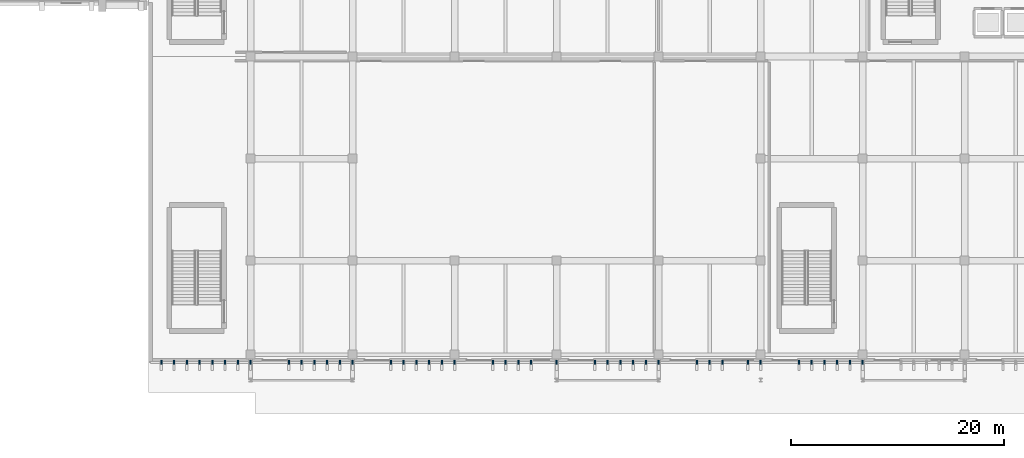
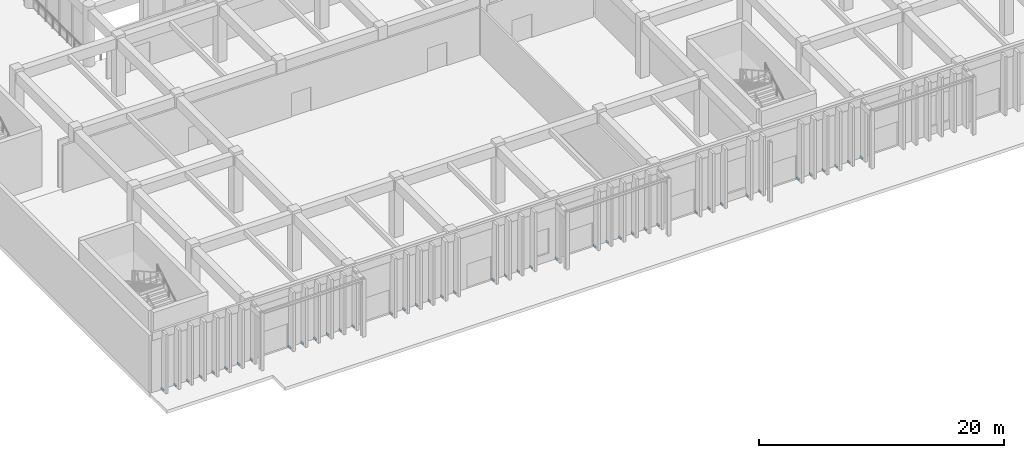
# One storey, part 55 of 87: 42 discrete accessories.
"""IFC4 building model written with IfcOpenShell, lengths in metres."""

from ifc_helpers import new_model, si_unit, direction, frame, origin, origin_2d, place, context, subcontext, project, spatial, rectangle, extrude, material, type_object, element, save


model = new_model("IFC4")

# Units and contexts
model_context = context("Model", 3, precision=1e-05, world=origin(), true_north=direction((0.0, 1.0)))
body_context = subcontext(model_context, "Body", "Model", "MODEL_VIEW")
ifc_project = project(units=[si_unit("LENGTHUNIT", "METRE"), si_unit("AREAUNIT", "SQUARE_METRE"), si_unit("VOLUMEUNIT", "CUBIC_METRE"), si_unit("PLANEANGLEUNIT", "RADIAN"), si_unit("MASSUNIT", "GRAM", prefix="KILO")], contexts=[model_context])

# Site, building, storey
site_placement = place(None, origin())
site = spatial("IfcSite", under=ifc_project, at=site_placement, CompositionType="ELEMENT")
building_placement = place(site_placement, origin())
building = spatial("IfcBuilding", under=site, at=building_placement, Name="Nakhvara Creek Congress Hotel", CompositionType="ELEMENT")
storey_placement = place(building_placement, origin())
storey = spatial("IfcBuildingStorey", under=building, at=storey_placement, Name="L00", CompositionType="ELEMENT", Elevation=0.0)

# Discrete accessories
ifc_material = material(Name="Brushed stainless steel 316L", Category="steel")
discrete_accessory_type = type_object("IfcDiscreteAccessoryType", Name="ACC-BRK-SS316", PredefinedType="BRACKET", material=ifc_material)
for number, where, z_axis, x_axis, name in (
    (1, (58.800048828125, 0.02001953125, -0.10986328125), (0.0, 0.0, 1.0), (1.0, 0.0, 0.0), "Stainless Fin Bracket BK01-0042"),
    (2, (60.0, 0.02001953125, -0.10986328125), (0.0, 0.0, 1.0), (1.0, 0.0, 0.0), "Stainless Fin Bracket BK01-0043"),
    (3, (61.199951171875, 0.02001953125, -0.10986328125), (0.0, 0.0, 1.0), (1.0, 0.0, 0.0), "Stainless Fin Bracket BK01-0044"),
    (4, (62.39990234375, 0.02001953125, -0.10986328125), (0.0, 0.0, 1.0), (1.0, 0.0, 0.0), "Stainless Fin Bracket BK01-0045"),
    (5, (63.60009765625, 0.02001953125, -0.10986328125), (0.0, 0.0, 1.0), (1.0, 0.0, 0.0), "Stainless Fin Bracket BK01-0046"),
    (6, (64.800048828125, 0.02001953125, -0.10986328125), (0.0, 0.0, 1.0), (1.0, 0.0, 0.0), "Stainless Fin Bracket BK01-0047"),
    (7, (66.0, 0.02001953125, -0.10986328125), (0.0, 0.0, 1.0), (1.0, 0.0, 0.0), "Stainless Fin Bracket BK01-0048"),
    (8, (67.199951171875, 0.02001953125, -0.10986328125), (0.0, 0.0, 1.0), (1.0, 0.0, 0.0), "Stainless Fin Bracket BK01-0049"),
    (9, (70.800048828125, 0.02001953125, -0.10986328125), (0.0, 0.0, 1.0), (1.0, 0.0, 0.0), "Stainless Fin Bracket BK01-0050"),
    (10, (72.0, 0.02001953125, -0.10986328125), (0.0, 0.0, 1.0), (1.0, 0.0, 0.0), "Stainless Fin Bracket BK01-0051"),
    (11, (73.199951171875, 0.02001953125, -0.10986328125), (0.0, 0.0, 1.0), (1.0, 0.0, 0.0), "Stainless Fin Bracket BK01-0052"),
    (12, (74.39990234375, 0.02001953125, -0.10986328125), (0.0, 0.0, 1.0), (1.0, 0.0, 0.0), "Stainless Fin Bracket BK01-0053"),
    (13, (75.60009765625, 0.02001953125, -0.10986328125), (0.0, 0.0, 1.0), (1.0, 0.0, 0.0), "Stainless Fin Bracket BK01-0054"),
    (14, (76.800048828125, 0.02001953125, -0.10986328125), (0.0, 0.0, 1.0), (1.0, 0.0, 0.0), "Stainless Fin Bracket BK01-0055"),
    (15, (80.39990234375, 0.02001953125, -0.10986328125), (0.0, 0.0, 1.0), (1.0, 0.0, 0.0), "Stainless Fin Bracket BK01-0056"),
    (16, (81.60009765625, 0.02001953125, -0.10986328125), (0.0, 0.0, 1.0), (1.0, 0.0, 0.0), "Stainless Fin Bracket BK01-0057"),
    (17, (82.800048828125, 0.02001953125, -0.10986328125), (0.0, 0.0, 1.0), (1.0, 0.0, 0.0), "Stainless Fin Bracket BK01-0058"),
    (18, (84.0, 0.02001953125, -0.10986328125), (0.0, 0.0, 1.0), (1.0, 0.0, 0.0), "Stainless Fin Bracket BK01-0059"),
    (19, (85.199951171875, 0.02001953125, -0.10986328125), (0.0, 0.0, 1.0), (1.0, 0.0, 0.0), "Stainless Fin Bracket BK01-0060"),
    (20, (86.39990234375, 0.02001953125, -0.10986328125), (0.0, 0.0, 1.0), (1.0, 0.0, 0.0), "Stainless Fin Bracket BK01-0061"),
    (21, (90.0, 0.02001953125, -0.10986328125), (0.0, 0.0, 1.0), (1.0, 0.0, 0.0), "Stainless Fin Bracket BK01-0062"),
    (22, (91.199951171875, 0.02001953125, -0.10986328125), (0.0, 0.0, 1.0), (1.0, 0.0, 0.0), "Stainless Fin Bracket BK01-0063"),
    (23, (92.39990234375, 0.02001953125, -0.10986328125), (0.0, 0.0, 1.0), (1.0, 0.0, 0.0), "Stainless Fin Bracket BK01-0064"),
    (24, (93.60009765625, 0.02001953125, -0.10986328125), (0.0, 0.0, 1.0), (1.0, 0.0, 0.0), "Stainless Fin Bracket BK01-0065"),
    (25, (96.0, 0.02001953125, -0.10986328125), (0.0, 0.0, 1.0), (1.0, 0.0, 0.0), "Stainless Fin Bracket BK01-0066"),
    (26, (99.60009765625, 0.02001953125, -0.10986328125), (0.0, 0.0, 1.0), (1.0, 0.0, 0.0), "Stainless Fin Bracket BK01-0067"),
    (27, (100.800048828125, 0.02001953125, -0.10986328125), (0.0, 0.0, 1.0), (1.0, 0.0, 0.0), "Stainless Fin Bracket BK01-0068"),
    (28, (102.0, 0.02001953125, -0.10986328125), (0.0, 0.0, 1.0), (1.0, 0.0, 0.0), "Stainless Fin Bracket BK01-0069"),
    (29, (103.199951171875, 0.02001953125, -0.10986328125), (0.0, 0.0, 1.0), (1.0, 0.0, 0.0), "Stainless Fin Bracket BK01-0070"),
    (30, (104.39990234375, 0.02001953125, -0.10986328125), (0.0, 0.0, 1.0), (1.0, 0.0, 0.0), "Stainless Fin Bracket BK01-0071"),
    (31, (105.60009765625, 0.02001953125, -0.10986328125), (0.0, 0.0, 1.0), (1.0, 0.0, 0.0), "Stainless Fin Bracket BK01-0072"),
    (32, (109.199951171875, 0.02001953125, -0.10986328125), (0.0, 0.0, 1.0), (1.0, 0.0, 0.0), "Stainless Fin Bracket BK01-0073"),
    (33, (110.39990234375, 0.02001953125, -0.10986328125), (0.0, 0.0, 1.0), (1.0, 0.0, 0.0), "Stainless Fin Bracket BK01-0074"),
    (34, (111.60009765625, 0.02001953125, -0.10986328125), (0.0, 0.0, 1.0), (1.0, 0.0, 0.0), "Stainless Fin Bracket BK01-0075"),
    (35, (114.0, 0.02001953125, -0.10986328125), (0.0, 0.0, 1.0), (1.0, 0.0, 0.0), "Stainless Fin Bracket BK01-0076"),
    (36, (115.199951171875, 0.02001953125, -0.10986328125), (0.0, 0.0, 1.0), (1.0, 0.0, 0.0), "Stainless Fin Bracket BK01-0077"),
    (37, (118.800048828125, 0.02001953125, -0.10986328125), (0.0, 0.0, 1.0), (1.0, 0.0, 0.0), "Stainless Fin Bracket BK01-0078"),
    (38, (120.0, 0.02001953125, -0.10986328125), (0.0, 0.0, 1.0), (1.0, 0.0, 0.0), "Stainless Fin Bracket BK01-0079"),
    (39, (121.199951171875, 0.02001953125, -0.10986328125), (0.0, 0.0, 1.0), (1.0, 0.0, 0.0), "Stainless Fin Bracket BK01-0080"),
    (40, (122.39990234375, 0.02001953125, -0.10986328125), (0.0, 0.0, 1.0), (1.0, 0.0, 0.0), "Stainless Fin Bracket BK01-0081"),
    (41, (123.60009765625, 0.02001953125, -0.10986328125), (0.0, 0.0, 1.0), (1.0, 0.0, 0.0), "Stainless Fin Bracket BK01-0082"),
    (42, (124.800048828125, 0.02001953125, -0.10986328125), (0.0, 0.0, 1.0), (1.0, 0.0, 0.0), "Stainless Fin Bracket BK01-0083"),
):
    element("IfcDiscreteAccessory", number, at=place(storey_placement, frame(where, z_axis=z_axis, x_axis=x_axis)), inside=storey, type_object=discrete_accessory_type, Name=name, PredefinedType="BRACKET", context=body_context, shape_type="SweptSolid", body=[
        extrude(rectangle(XDim=0.139892578125, YDim=0.360107421875, at=origin_2d()), origin(), (0.0, 0.0, 1.0), 0.179931640625),
    ])

save(model, "model.ifc")
